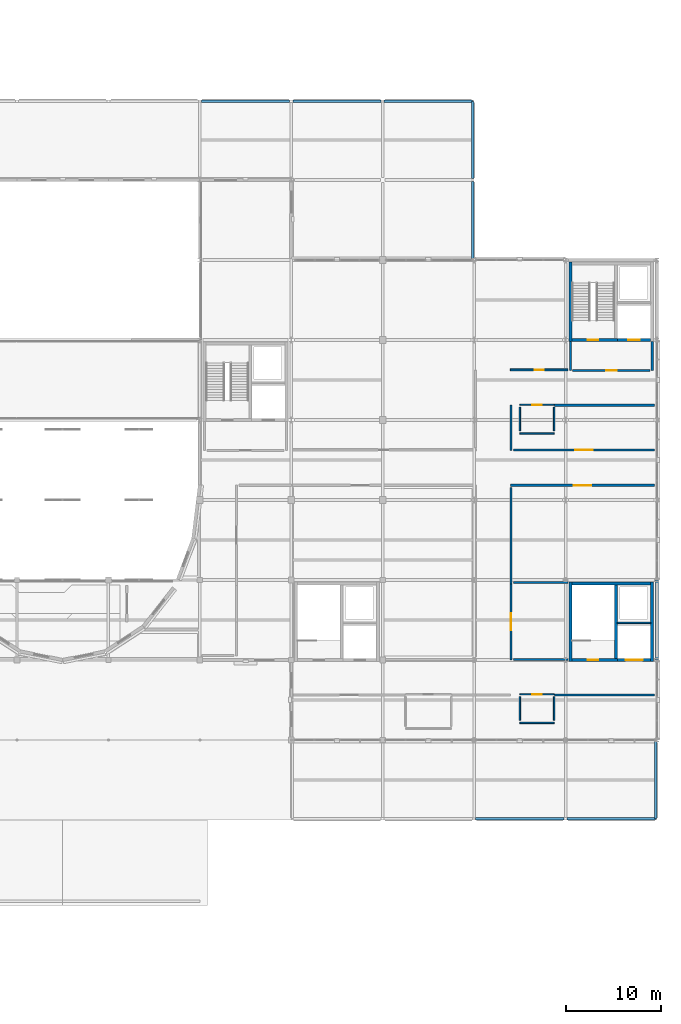
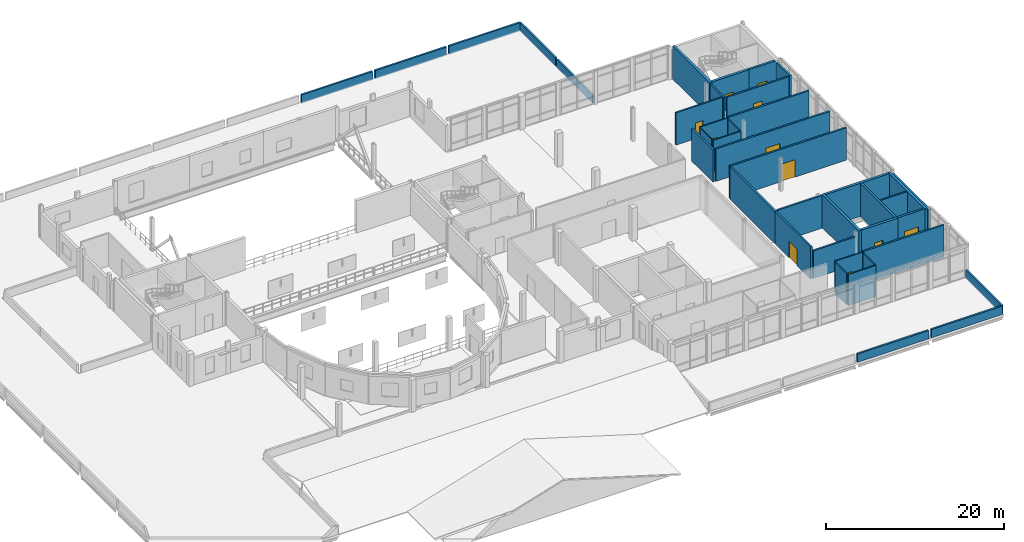
# One storey, part 43 of 52: 40 walls, 11 doors, 11 openings.
"""IFC4 building model written with IfcOpenShell, lengths in metres."""

from ifc_helpers import new_model, si_unit, direction, frame, frame_2d, origin, place, context, subcontext, project, spatial, rectangle, extrude, material, layer, layer_set, type_object, element, fill, save


model = new_model("IFC4")

# Units and contexts
model_context = context("Model", 3, precision=1e-05, world=origin(), true_north=direction((0.0, 1.0)))
body_context = subcontext(model_context, "Body", "Model", "MODEL_VIEW")
ifc_project = project(units=[si_unit("LENGTHUNIT", "METRE"), si_unit("AREAUNIT", "SQUARE_METRE"), si_unit("VOLUMEUNIT", "CUBIC_METRE"), si_unit("PLANEANGLEUNIT", "RADIAN"), si_unit("MASSUNIT", "GRAM", prefix="KILO")], contexts=[model_context])

# Site, building, storey
site_placement = place(None, origin())
site = spatial("IfcSite", under=ifc_project, at=site_placement, CompositionType="ELEMENT")
building_placement = place(site_placement, origin())
building = spatial("IfcBuilding", under=site, at=building_placement, Name="Lornevale Opera House", CompositionType="ELEMENT")
storey_placement = place(building_placement, frame((0.0, 0.0, 15.0)))
storey = spatial("IfcBuildingStorey", under=building, at=storey_placement, Name="L04", CompositionType="ELEMENT", Elevation=15.0)

# Wall
ifc_material_1 = material(Name="Queenston Buff Limestone Ashlar Masonry (25 MPa)", Category="masonry")
ifc_layer_1 = layer(ifc_material_1, 0.324951171875)
ifc_layer_set_1 = layer_set([ifc_layer_1], Name="Queenston Buff Limestone Ashlar Masonry (25 MPa)")
wall_type_1 = type_object("IfcWallType", Name="Backstage Limestone Facade Wall 325", PredefinedType="SOLIDWALL", material=ifc_layer_set_1)
wall_1_placement = place(storey_placement, frame((144.0, 41.97998046875, 0.0), z_axis=(0.0, 0.0, 1.0), x_axis=(0.0, -1.0, 0.0)))
element("IfcWall", 1, at=wall_1_placement, inside=storey, type_object=wall_type_1, Name="Backstage Limestone Facade Wall 325 WL-EXT-0263", PredefinedType="SOLIDWALL", context=body_context, shape_type="SweptSolid", body=[
    extrude(rectangle(XDim=8.35986328125, YDim=0.324951171875, at=frame_2d((4.179931640625, 0.0))), origin(), (0.0, 0.0, 1.0), 4.177978515625),
])

# Wall, opening, door
ifc_material_2 = material(Name="Concrete 40 MPa (CSA A23.1 C-1)", Category="concrete")
ifc_layer_2 = layer(ifc_material_2, 0.320068359375)
ifc_layer_set_2 = layer_set([ifc_layer_2], Name="Concrete 40 MPa (CSA A23.1 C-1)")
wall_type_2 = type_object("IfcWallType", Name="Core Shear Wall 320", PredefinedType="SHEAR", material=ifc_layer_set_2)
wall_2_placement = place(storey_placement, frame((135.06005859375, 67.199951171875, 0.0), z_axis=(0.0, 0.0, 1.0), x_axis=(1.0, 0.0, 0.0)))
wall_2 = element("IfcWall", 2, at=wall_2_placement, inside=storey, type_object=wall_type_2, Name="Backstage Firefighter Core East Core Shear Wall 320 WL-COR-0296", PredefinedType="SHEAR", context=body_context, shape_type="SweptSolid", body=[
    extrude(rectangle(XDim=4.780029296875, YDim=0.320068359375, at=frame_2d((2.39013671875, 0.0))), origin(), (0.0, 0.0, 1.0), 4.56005859375),
])
opening_1_placement = place(wall_2_placement, frame((1.68994140625, 0.0, 0.0)))
opening_1 = element("IfcOpeningElement", 3, at=opening_1_placement, cuts=wall_2, Name="Opening DR-T10", PredefinedType="OPENING", context=body_context, shape_type="SweptSolid", body=[
    extrude(rectangle(XDim=1.10009765625, YDim=2.199951171875, at=frame_2d((0.550048828125, 1.10009765625))), frame((0.0, 0.169921875, 0.0), z_axis=(0.0, -1.0, 0.0), x_axis=(1.0, 0.0, 0.0)), (0.0, 0.0, 1.0), 0.340087890625),
])
ifc_material_3 = material(Name="Painted Hollow Metal Door Steel", Category="steel")
ifc_layer_3 = layer(ifc_material_3, 2.199951171875)
ifc_layer_set_3 = layer_set([ifc_layer_3], Name="Painted Hollow Metal Door Steel")
door_type_1 = type_object("IfcDoorType", Name="Protected Exit Stair Door L 1100x2200", OperationType="NOTDEFINED", PredefinedType="DOOR", material=ifc_layer_set_3)
door_1_placement = place(opening_1_placement, origin())
door_1 = element("IfcDoor", 4, at=door_1_placement, inside=storey, type_object=door_type_1, Name="C7 Stair Door L04", OperationType="SINGLE_SWING_LEFT", OverallHeight=2.199951171875, OverallWidth=1.10009765625, PredefinedType="DOOR", context=body_context, shape_type="SweptSolid", body=[
    extrude(rectangle(XDim=1.10009765625, YDim=2.199951171875, at=frame_2d((0.550048828125, 1.10009765625))), frame((0.0, 0.02490234375, 0.0), z_axis=(0.0, -1.0, 0.0), x_axis=(1.0, 0.0, 0.0)), (0.0, 0.0, 1.0), 0.050048828125),
])
fill(opening_1, door_1)

# Wall
wall_3_placement = place(storey_placement, frame((134.89990234375, 75.39990234375, 0.0), z_axis=(0.0, 0.0, 1.0), x_axis=(0.0, -1.0, 0.0)))
element("IfcWall", 5, at=wall_3_placement, inside=storey, type_object=wall_type_2, Name="Backstage Firefighter Core East Core Shear Wall 320 WL-COR-0299", PredefinedType="SHEAR", context=body_context, shape_type="SweptSolid", body=[
    extrude(rectangle(XDim=8.35986328125, YDim=0.320068359375, at=frame_2d((4.179931640625, 0.0))), origin(), (0.0, 0.0, 1.0), 4.56005859375),
])

# Wall, opening, door
wall_4_placement = place(storey_placement, frame((135.06005859375, 33.60009765625, 0.0), z_axis=(0.0, 0.0, 1.0), x_axis=(1.0, 0.0, 0.0)))
wall_4 = element("IfcWall", 6, at=wall_4_placement, inside=storey, type_object=wall_type_2, Name="Backstage Service Lift Core Core Shear Wall 320 WL-COR-0352", PredefinedType="SHEAR", context=body_context, shape_type="SweptSolid", body=[
    extrude(rectangle(XDim=4.780029296875, YDim=0.320068359375, at=frame_2d((2.39013671875, 0.0))), origin(), (0.0, 0.0, 1.0), 4.56005859375),
])
opening_2_placement = place(wall_4_placement, frame((1.68994140625, 0.0, 0.0)))
opening_2 = element("IfcOpeningElement", 7, at=opening_2_placement, cuts=wall_4, Name="Opening DR-T11", PredefinedType="OPENING", context=body_context, shape_type="SweptSolid", body=[
    extrude(rectangle(XDim=1.10009765625, YDim=2.199951171875, at=frame_2d((0.550048828125, 1.10009765625))), frame((0.0, 0.169921875, 0.0), z_axis=(0.0, -1.0, 0.0), x_axis=(1.0, 0.0, 0.0)), (0.0, 0.0, 1.0), 0.340087890625),
])
ifc_layer_4 = layer(ifc_material_3, 2.199951171875)
ifc_layer_set_4 = layer_set([ifc_layer_4], Name="Painted Hollow Metal Door Steel")
door_type_2 = type_object("IfcDoorType", Name="Protected Exit Stair Door R 1100x2200", OperationType="NOTDEFINED", PredefinedType="DOOR", material=ifc_layer_set_4)
door_2_placement = place(opening_2_placement, origin())
door_2 = element("IfcDoor", 8, at=door_2_placement, inside=storey, type_object=door_type_2, Name="C8 Stair Door L04", OperationType="SINGLE_SWING_RIGHT", OverallHeight=2.199951171875, OverallWidth=1.10009765625, PredefinedType="DOOR", context=body_context, shape_type="SweptSolid", body=[
    extrude(rectangle(XDim=1.10009765625, YDim=2.199951171875, at=frame_2d((0.550048828125, 1.10009765625))), frame((0.0, 0.02490234375, 0.0), z_axis=(0.0, -1.0, 0.0), x_axis=(1.0, 0.0, 0.0)), (0.0, 0.0, 1.0), 0.050048828125),
])
fill(opening_2, door_2)

# Walls
wall_5_placement = place(storey_placement, frame((143.340087890625, 41.639892578125, 0.0), z_axis=(0.0, 0.0, 1.0), x_axis=(-1.0, 0.0, 0.0)))
element("IfcWall", 9, at=wall_5_placement, inside=storey, type_object=wall_type_2, Name="Backstage Service Lift Core Core Shear Wall 320 WL-COR-0354", PredefinedType="SHEAR", context=body_context, shape_type="SweptSolid", body=[
    extrude(rectangle(XDim=8.280029296875, YDim=0.320068359375, at=frame_2d((4.14013671875, 0.0))), origin(), (0.0, 0.0, 1.0), 4.56005859375),
])
for number, where, z_axis, x_axis, name in (
    (10, (134.89990234375, 41.800048828125, 0.0), (0.0, 0.0, 1.0), (0.0, -1.0, 0.0), "Backstage Service Lift Core Core Shear Wall 320 WL-COR-0355"),
    (11, (143.5, 33.43994140625, 0.0), (0.0, 0.0, 1.0), (0.0, 1.0, 0.0), "Backstage Service Lift Core Core Shear Wall 320 WL-COR-0356"),
):
    element("IfcWall", number, at=place(storey_placement, frame(where, z_axis=z_axis, x_axis=x_axis)), inside=storey, type_object=wall_type_2, Name=name, PredefinedType="SHEAR", context=body_context, shape_type="SweptSolid", body=[
        extrude(rectangle(XDim=8.360107421875, YDim=0.320068359375, at=frame_2d((4.18017578125, 0.0))), origin(), (0.0, 0.0, 1.0), 4.56005859375),
    ])

# Wall, opening, door
ifc_layer_5 = layer(ifc_material_2, 0.280029296875)
ifc_layer_set_5 = layer_set([ifc_layer_5], Name="Concrete 40 MPa (CSA A23.1 C-1)")
wall_type_3 = type_object("IfcWallType", Name="Elevator Shaft Wall 280", PredefinedType="SHEAR", material=ifc_layer_set_5)
wall_6_placement = place(storey_placement, frame((139.840087890625, 67.199951171875, 0.0), z_axis=(0.0, 0.0, 1.0), x_axis=(1.0, 0.0, 0.0)))
wall_6 = element("IfcWall", 12, at=wall_6_placement, inside=storey, type_object=wall_type_3, Name="Backstage Firefighter Core East Elevator Shaft Wall 280 WL-COR-0297", PredefinedType="SHEAR", context=body_context, shape_type="SweptSolid", body=[
    extrude(rectangle(XDim=3.5, YDim=0.280029296875, at=frame_2d((1.75, 0.0))), origin(), (0.0, 0.0, 1.0), 4.56005859375),
])
opening_3_placement = place(wall_6_placement, frame((1.159912109375, 0.0, 0.0)))
opening_3 = element("IfcOpeningElement", 13, at=opening_3_placement, cuts=wall_6, Name="Opening DR-T26", PredefinedType="OPENING", context=body_context, shape_type="SweptSolid", body=[
    extrude(rectangle(XDim=1.199951171875, YDim=2.199951171875, at=frame_2d((0.60009765625, 1.10009765625))), frame((0.0, 0.14990234375, 0.0), z_axis=(0.0, -1.0, 0.0), x_axis=(1.0, 0.0, 0.0)), (0.0, 0.0, 1.0), 0.300048828125),
])
ifc_layer_6 = layer(ifc_material_3, 2.199951171875)
ifc_layer_set_6 = layer_set([ifc_layer_6], Name="Painted Hollow Metal Door Steel")
door_type_3 = type_object("IfcDoorType", Name="Firefighter Lift Landing Door 1200x2200", OperationType="NOTDEFINED", PredefinedType="DOOR", material=ifc_layer_set_6)
door_3_placement = place(opening_3_placement, origin())
door_3 = element("IfcDoor", 14, at=door_3_placement, inside=storey, type_object=door_type_3, Name="L-FF2 Landing Door L04", OperationType="SLIDING_TO_RIGHT", OverallHeight=2.199951171875, OverallWidth=1.199951171875, PredefinedType="DOOR", context=body_context, shape_type="SweptSolid", body=[
    extrude(rectangle(XDim=1.199951171875, YDim=2.199951171875, at=frame_2d((0.60009765625, 1.10009765625))), frame((0.0, 0.02490234375, 0.0), z_axis=(0.0, -1.0, 0.0), x_axis=(1.0, 0.0, 0.0)), (0.0, 0.0, 1.0), 0.050048828125),
])
fill(opening_3, door_3)

wall_7_placement = place(storey_placement, frame((139.840087890625, 33.60009765625, 0.0), z_axis=(0.0, 0.0, 1.0), x_axis=(1.0, 0.0, 0.0)))
wall_7 = element("IfcWall", 15, at=wall_7_placement, inside=storey, type_object=wall_type_3, Name="Backstage Service Lift Core Elevator Shaft Wall 280 WL-COR-0353", PredefinedType="SHEAR", context=body_context, shape_type="SweptSolid", body=[
    extrude(rectangle(XDim=3.5, YDim=0.280029296875, at=frame_2d((1.75, 0.0))), origin(), (0.0, 0.0, 1.0), 4.56005859375),
])
opening_4_placement = place(wall_7_placement, frame((0.860107421875, 0.0, 0.0)))
opening_4 = element("IfcOpeningElement", 16, at=opening_4_placement, cuts=wall_7, Name="Opening DR-T27", PredefinedType="OPENING", context=body_context, shape_type="SweptSolid", body=[
    extrude(rectangle(XDim=1.800048828125, YDim=2.39990234375, at=frame_2d((0.89990234375, 1.199951171875))), frame((0.0, 0.14990234375, 0.0), z_axis=(0.0, -1.0, 0.0), x_axis=(1.0, 0.0, 0.0)), (0.0, 0.0, 1.0), 0.300048828125),
])
ifc_layer_7 = layer(ifc_material_3, 2.39990234375)
ifc_layer_set_7 = layer_set([ifc_layer_7], Name="Painted Hollow Metal Door Steel")
door_type_4 = type_object("IfcDoorType", Name="Freight Lift Landing Door 1800x2400", OperationType="NOTDEFINED", PredefinedType="DOOR", material=ifc_layer_set_7)
door_4_placement = place(opening_4_placement, origin())
door_4 = element("IfcDoor", 17, at=door_4_placement, inside=storey, type_object=door_type_4, Name="L-B2 Landing Door L04", OperationType="SLIDING_TO_LEFT", OverallHeight=2.39990234375, OverallWidth=1.800048828125, PredefinedType="DOOR", context=body_context, shape_type="SweptSolid", body=[
    extrude(rectangle(XDim=1.800048828125, YDim=2.39990234375, at=frame_2d((0.89990234375, 1.199951171875))), frame((0.0, 0.02490234375, 0.0), z_axis=(0.0, -1.0, 0.0), x_axis=(1.0, 0.0, 0.0)), (0.0, 0.0, 1.0), 0.050048828125),
])
fill(opening_4, door_4)

# Walls
wall_8_placement = place(storey_placement, frame((139.699951171875, 33.760009765625, 0.0), z_axis=(0.0, 0.0, 1.0), x_axis=(0.0, 1.0, 0.0)))
element("IfcWall", 18, at=wall_8_placement, inside=storey, type_object=wall_type_3, Name="Backstage Service Lift Core Elevator Shaft Wall 280 WL-COR-0357", PredefinedType="SHEAR", context=body_context, shape_type="SweptSolid", body=[
    extrude(rectangle(XDim=7.719970703125, YDim=0.280029296875, at=frame_2d((3.85986328125, 0.0))), origin(), (0.0, 0.0, 1.0), 4.56005859375),
])
ifc_material_4 = material(Name="Concrete 35 MPa (CSA A23.1 N)", Category="concrete")
ifc_layer_8 = layer(ifc_material_4, 0.219970703125)
ifc_layer_set_8 = layer_set([ifc_layer_8], Name="Concrete 35 MPa (CSA A23.1 N)")
wall_type_4 = type_object("IfcWallType", Name="Firefighter Vestibule Wall 220", PredefinedType="SOLIDWALL", material=ifc_layer_set_8)
for number, where, z_axis, x_axis, name in (
    (19, (134.89990234375, 64.0, 0.0), (0.0, 0.0, 1.0), (0.0, 1.0, 0.0), "C7 Vestibule West Wall WL-INT-0409"),
    (20, (143.5, 64.0, 0.0), (0.0, 0.0, 1.0), (0.0, 1.0, 0.0), "C7 Vestibule East Wall WL-INT-0410"),
):
    element("IfcWall", number, at=place(storey_placement, frame(where, z_axis=z_axis, x_axis=x_axis)), inside=storey, type_object=wall_type_4, Name=name, PredefinedType="SOLIDWALL", context=body_context, shape_type="SweptSolid", body=[
        extrude(rectangle(XDim=3.0400390625, YDim=0.219970703125, at=frame_2d((1.52001953125, 0.0))), origin(), (0.0, 0.0, 1.0), 4.320068359375),
    ])

# Wall, opening, door
wall_9_placement = place(storey_placement, frame((135.14990234375, 64.0, 0.0), z_axis=(0.0, 0.0, 1.0), x_axis=(1.0, 0.0, 0.0)))
wall_9 = element("IfcWall", 21, at=wall_9_placement, inside=storey, type_object=wall_type_4, Name="C7 Vestibule South Wall WL-INT-0411", PredefinedType="SOLIDWALL", context=body_context, shape_type="SweptSolid", body=[
    extrude(rectangle(XDim=8.10009765625, YDim=0.219970703125, at=frame_2d((4.050048828125, 0.0))), origin(), (0.0, 0.0, 1.0), 4.320068359375),
])
opening_5_placement = place(wall_9_placement, frame((3.5, 0.0, 0.0)))
opening_5 = element("IfcOpeningElement", 22, at=opening_5_placement, cuts=wall_9, Name="Opening DR-T13", PredefinedType="OPENING", context=body_context, shape_type="SweptSolid", body=[
    extrude(rectangle(XDim=1.10009765625, YDim=2.199951171875, at=frame_2d((0.550048828125, 1.10009765625))), frame((0.0, 0.119873046875, 0.0), z_axis=(0.0, -1.0, 0.0), x_axis=(1.0, 0.0, 0.0)), (0.0, 0.0, 1.0), 0.239990234375),
])
ifc_layer_9 = layer(ifc_material_3, 2.199951171875)
ifc_layer_set_9 = layer_set([ifc_layer_9], Name="Painted Hollow Metal Door Steel")
door_type_5 = type_object("IfcDoorType", Name="Firefighter Vestibule Door 1100x2200", OperationType="NOTDEFINED", PredefinedType="DOOR", material=ifc_layer_set_9)
door_5_placement = place(opening_5_placement, origin())
door_5 = element("IfcDoor", 23, at=door_5_placement, inside=storey, type_object=door_type_5, Name="C7 Firefighter Vestibule Door L04", OperationType="SINGLE_SWING_LEFT", OverallHeight=2.199951171875, OverallWidth=1.10009765625, PredefinedType="DOOR", context=body_context, shape_type="SweptSolid", body=[
    extrude(rectangle(XDim=1.10009765625, YDim=2.199951171875, at=frame_2d((0.550048828125, 1.10009765625))), frame((0.0, 0.02490234375, 0.0), z_axis=(0.0, -1.0, 0.0), x_axis=(1.0, 0.0, 0.0)), (0.0, 0.0, 1.0), 0.050048828125),
])
fill(opening_5, door_5)

ifc_material_5 = material(Name="Acoustic Mineral-Core Gypsum Partition", Category="gypsum")
ifc_layer_10 = layer(ifc_material_5, 0.199951171875)
ifc_layer_set_10 = layer_set([ifc_layer_10], Name="Acoustic Mineral-Core Gypsum Partition")
wall_type_5 = type_object("IfcWallType", Name="Practice Studio Double-Stud Wall 200", PredefinedType="SOLIDWALL", material=ifc_layer_set_10)
wall_10_placement = place(storey_placement, frame((128.60009765625, 64.06005859375, 0.0), z_axis=(0.0, 0.0, 1.0), x_axis=(1.0, 0.0, 0.0)))
wall_10 = element("IfcWall", 24, at=wall_10_placement, inside=storey, type_object=wall_type_5, Name="L04 Partition WL-INT-0874", PredefinedType="SOLIDWALL", context=body_context, shape_type="SweptSolid", body=[
    extrude(rectangle(XDim=6.0498046875, YDim=0.199951171875, at=frame_2d((3.02490234375, 0.0))), origin(), (0.0, 0.0, 1.0), 4.449951171875),
])
opening_6_placement = place(wall_10_placement, frame((2.550048828125, 0.0, 0.0)))
opening_6 = element("IfcOpeningElement", 25, at=opening_6_placement, cuts=wall_10, Name="Opening DR-T19", PredefinedType="OPENING", context=body_context, shape_type="SweptSolid", body=[
    extrude(rectangle(XDim=0.949951171875, YDim=2.14990234375, at=frame_2d((0.47509765625, 1.074951171875))), frame((0.0, 0.10986328125, 0.0), z_axis=(0.0, -1.0, 0.0), x_axis=(1.0, 0.0, 0.0)), (0.0, 0.0, 1.0), 0.219970703125),
])
ifc_material_6 = material(Name="White Oak Acoustic Panelling", Category="wood")
ifc_layer_11 = layer(ifc_material_6, 2.14990234375)
ifc_layer_set_11 = layer_set([ifc_layer_11], Name="White Oak Acoustic Panelling")
door_type_6 = type_object("IfcDoorType", Name="Soloist Dressing Door L 950x2150", OperationType="NOTDEFINED", PredefinedType="DOOR", material=ifc_layer_set_11)
door_6_placement = place(opening_6_placement, origin())
door_6 = element("IfcDoor", 26, at=door_6_placement, inside=storey, type_object=door_type_6, Name="Community Education Conservatory Studio Door", OperationType="SINGLE_SWING_LEFT", OverallHeight=2.14990234375, OverallWidth=0.949951171875, PredefinedType="DOOR", context=body_context, shape_type="SweptSolid", body=[
    extrude(rectangle(XDim=0.949951171875, YDim=2.14990234375, at=frame_2d((0.47509765625, 1.074951171875))), frame((0.0, 0.02490234375, 0.0), z_axis=(0.0, -1.0, 0.0), x_axis=(1.0, 0.0, 0.0)), (0.0, 0.0, 1.0), 0.050048828125),
])
fill(opening_6, door_6)

ifc_layer_12 = layer(ifc_material_5, 0.22998046875)
ifc_layer_set_12 = layer_set([ifc_layer_12], Name="Acoustic Mineral-Core Gypsum Partition")
wall_type_6 = type_object("IfcWallType", Name="Rehearsal Studio Acoustic Wall 230", PredefinedType="SOLIDWALL", material=ifc_layer_set_12)
wall_11_placement = place(storey_placement, frame((128.60009765625, 51.93994140625, 0.0), z_axis=(0.0, 0.0, 1.0), x_axis=(1.0, 0.0, 0.0)))
wall_11 = element("IfcWall", 27, at=wall_11_placement, inside=storey, type_object=wall_type_6, Name="L04 Partition WL-INT-0870", PredefinedType="SOLIDWALL", context=body_context, shape_type="SweptSolid", body=[
    extrude(rectangle(XDim=15.14990234375, YDim=0.22998046875, at=frame_2d((7.574951171875, 0.0))), origin(), (0.0, 0.0, 1.0), 4.449951171875),
])
opening_7_placement = place(wall_11_placement, frame((6.675048828125, 0.0, 0.0)))
opening_7 = element("IfcOpeningElement", 28, at=opening_7_placement, cuts=wall_11, Name="Opening DR-T18", PredefinedType="OPENING", context=body_context, shape_type="SweptSolid", body=[
    extrude(rectangle(XDim=1.800048828125, YDim=2.39990234375, at=frame_2d((0.89990234375, 1.199951171875))), frame((0.0, 0.125, 0.0), z_axis=(0.0, -1.0, 0.0), x_axis=(1.0, 0.0, 0.0)), (0.0, 0.0, 1.0), 0.25),
])
ifc_layer_13 = layer(ifc_material_6, 2.39990234375)
ifc_layer_set_13 = layer_set([ifc_layer_13], Name="White Oak Acoustic Panelling")
door_type_7 = type_object("IfcDoorType", Name="Rehearsal Studio Pair 1800x2400", OperationType="NOTDEFINED", PredefinedType="DOOR", material=ifc_layer_set_13)
door_7_placement = place(opening_7_placement, origin())
door_7 = element("IfcDoor", 29, at=door_7_placement, inside=storey, type_object=door_type_7, Name="Opera Chorus Rehearsal Studio Door", OperationType="DOUBLE_SWING_LEFT", OverallHeight=2.39990234375, OverallWidth=1.800048828125, PredefinedType="DOOR", context=body_context, shape_type="SweptSolid", body=[
    extrude(rectangle(XDim=1.800048828125, YDim=2.39990234375, at=frame_2d((0.89990234375, 1.199951171875))), frame((0.0, 0.02490234375, 0.0), z_axis=(0.0, -1.0, 0.0), x_axis=(1.0, 0.0, 0.0)), (0.0, 0.0, 1.0), 0.050048828125),
])
fill(opening_7, door_7)

# Walls
wall_12_placement = place(storey_placement, frame((128.659912109375, 41.60009765625, 0.0), z_axis=(0.0, 0.0, 1.0), x_axis=(0.0, 1.0, 0.0)))
element("IfcWall", 30, at=wall_12_placement, inside=storey, type_object=wall_type_6, Name="L04 Partition WL-INT-0871", PredefinedType="SOLIDWALL", context=body_context, shape_type="SweptSolid", body=[
    extrude(rectangle(XDim=10.08984375, YDim=0.22998046875, at=frame_2d((5.044921875, 0.0))), origin(), (0.0, 0.0, 1.0), 4.449951171875),
])
for number, where, z_axis, x_axis, name in (
    (31, (133.260009765625, 29.93994140625, 0.0), (0.0, 0.0, 1.0), (1.0, 0.0, 0.0), "L04 Partition WL-INT-0875"),
    (32, (133.260009765625, 60.340087890625, 0.0), (0.0, 0.0, 1.0), (1.0, 0.0, 0.0), "L04 Partition WL-INT-0884"),
):
    element("IfcWall", number, at=place(storey_placement, frame(where, z_axis=z_axis, x_axis=x_axis)), inside=storey, type_object=wall_type_6, Name=name, PredefinedType="SOLIDWALL", context=body_context, shape_type="SweptSolid", body=[
        extrude(rectangle(XDim=10.489990234375, YDim=0.22998046875, at=frame_2d((5.2451171875, 0.0))), origin(), (0.0, 0.0, 1.0), 4.449951171875),
    ])
wall_13_placement = place(storey_placement, frame((128.659912109375, 55.60009765625, 0.0), z_axis=(0.0, 0.0, 1.0), x_axis=(0.0, 1.0, 0.0)))
element("IfcWall", 33, at=wall_13_placement, inside=storey, type_object=wall_type_6, Name="L04 Partition WL-INT-0885", PredefinedType="SOLIDWALL", context=body_context, shape_type="SweptSolid", body=[
    extrude(rectangle(XDim=4.7998046875, YDim=0.22998046875, at=frame_2d((2.39990234375, 0.0))), origin(), (0.0, 0.0, 1.0), 4.449951171875),
])

# Wall, opening, door
wall_14_placement = place(storey_placement, frame((128.909912109375, 55.659912109375, 0.0), z_axis=(0.0, 0.0, 1.0), x_axis=(1.0, 0.0, 0.0)))
wall_14 = element("IfcWall", 34, at=wall_14_placement, inside=storey, type_object=wall_type_6, Name="L04 Partition WL-INT-0886", PredefinedType="SOLIDWALL", context=body_context, shape_type="SweptSolid", body=[
    extrude(rectangle(XDim=14.840087890625, YDim=0.22998046875, at=frame_2d((7.419921875, 0.0))), origin(), (0.0, 0.0, 1.0), 4.449951171875),
])
opening_8_placement = place(wall_14_placement, frame((6.52001953125, 0.0, 0.0)))
opening_8 = element("IfcOpeningElement", 35, at=opening_8_placement, cuts=wall_14, Name="Opening DR-T15", PredefinedType="OPENING", context=body_context, shape_type="SweptSolid", body=[
    extrude(rectangle(XDim=1.800048828125, YDim=2.300048828125, at=frame_2d((0.89990234375, 1.14990234375))), frame((0.0, 0.125, 0.0), z_axis=(0.0, -1.0, 0.0), x_axis=(1.0, 0.0, 0.0)), (0.0, 0.0, 1.0), 0.25),
])
ifc_layer_14 = layer(ifc_material_6, 2.300048828125)
ifc_layer_set_14 = layer_set([ifc_layer_14], Name="White Oak Acoustic Panelling")
door_type_8 = type_object("IfcDoorType", Name="Chamber Hall Acoustic Pair 1800x2300", OperationType="NOTDEFINED", PredefinedType="DOOR", material=ifc_layer_set_14)
door_8_placement = place(opening_8_placement, origin())
door_8 = element("IfcDoor", 36, at=door_8_placement, inside=storey, type_object=door_type_8, Name="Chamber Theory Seminar Studio Door", OperationType="DOUBLE_SWING_LEFT", OverallHeight=2.300048828125, OverallWidth=1.800048828125, PredefinedType="DOOR", context=body_context, shape_type="SweptSolid", body=[
    extrude(rectangle(XDim=1.800048828125, YDim=2.300048828125, at=frame_2d((0.89990234375, 1.14990234375))), frame((0.0, 0.02490234375, 0.0), z_axis=(0.0, -1.0, 0.0), x_axis=(1.0, 0.0, 0.0)), (0.0, 0.0, 1.0), 0.050048828125),
])
fill(opening_8, door_8)

wall_15_placement = place(storey_placement, frame((128.659912109375, 33.60009765625, 0.0), z_axis=(0.0, 0.0, 1.0), x_axis=(0.0, 1.0, 0.0)))
wall_15 = element("IfcWall", 37, at=wall_15_placement, inside=storey, type_object=wall_type_6, Name="L04 Partition WL-INT-0887", PredefinedType="SOLIDWALL", context=body_context, shape_type="SweptSolid", body=[
    extrude(rectangle(XDim=8.0, YDim=0.22998046875, at=frame_2d((4.0, 0.0))), origin(), (0.0, 0.0, 1.0), 4.449951171875),
])
opening_9_placement = place(wall_15_placement, frame((3.10009765625, 0.0, 0.0)))
opening_9 = element("IfcOpeningElement", 38, at=opening_9_placement, cuts=wall_15, Name="Opening DR-T15", PredefinedType="OPENING", context=body_context, shape_type="SweptSolid", body=[
    extrude(rectangle(XDim=1.800048828125, YDim=2.300048828125, at=frame_2d((0.89990234375, 1.14990234375))), frame((0.0, 0.125, 0.0), z_axis=(0.0, -1.0, 0.0), x_axis=(1.0, 0.0, 0.0)), (0.0, 0.0, 1.0), 0.25),
])
door_9_placement = place(opening_9_placement, origin())
door_9 = element("IfcDoor", 39, at=door_9_placement, inside=storey, type_object=door_type_8, Name="Chamber Theory Seminar Studio Door", OperationType="DOUBLE_SWING_LEFT", OverallHeight=2.300048828125, OverallWidth=1.800048828125, PredefinedType="DOOR", context=body_context, shape_type="SweptSolid", body=[
    extrude(rectangle(XDim=1.800048828125, YDim=2.300048828125, at=frame_2d((0.89990234375, 1.14990234375))), frame((0.0, 0.02490234375, 0.0), z_axis=(0.0, -1.0, 0.0), x_axis=(1.0, 0.0, 0.0)), (0.0, 0.0, 1.0), 0.050048828125),
])
fill(opening_9, door_9)

# Walls
wall_16_placement = place(storey_placement, frame((128.909912109375, 33.659912109375, 0.0), z_axis=(0.0, 0.0, 1.0), x_axis=(1.0, 0.0, 0.0)))
element("IfcWall", 40, at=wall_16_placement, inside=storey, type_object=wall_type_6, Name="L04 Partition WL-INT-0888", PredefinedType="SOLIDWALL", context=body_context, shape_type="SweptSolid", body=[
    extrude(rectangle(XDim=5.739990234375, YDim=0.22998046875, at=frame_2d((2.8701171875, 0.0))), origin(), (0.0, 0.0, 1.0), 3.806884765625),
])
wall_17_placement = place(storey_placement, frame((128.909912109375, 41.739990234375, 0.0), z_axis=(0.0, 0.0, 1.0), x_axis=(1.0, 0.0, 0.0)))
element("IfcWall", 41, at=wall_17_placement, inside=storey, type_object=wall_type_6, Name="L04 Partition WL-INT-0892", PredefinedType="SOLIDWALL", context=body_context, shape_type="SweptSolid", body=[
    extrude(rectangle(XDim=5.739990234375, YDim=0.22998046875, at=frame_2d((2.8701171875, 0.0))), origin(), (0.0, 0.0, 1.0), 4.47998046875),
])
ifc_material_7 = material(Name="Moisture-Resistant Ceramic & Gypsum Partition", Category="gypsum")
ifc_layer_15 = layer(ifc_material_7, 0.179931640625)
ifc_layer_set_15 = layer_set([ifc_layer_15], Name="Moisture-Resistant Ceramic & Gypsum Partition")
wall_type_7 = type_object("IfcWallType", Name="Riser Shaft Wall 180", PredefinedType="SOLIDWALL", material=ifc_layer_set_15)
wall_18_placement = place(storey_placement, frame((139.840087890625, 37.5, 0.0), z_axis=(0.0, 0.0, 1.0), x_axis=(1.0, 0.0, 0.0)))
element("IfcWall", 42, at=wall_18_placement, inside=storey, type_object=wall_type_7, Name="Backstage Service Lift Core Riser Shaft Wall 180 WL-COR-0358", PredefinedType="SOLIDWALL", context=body_context, shape_type="SweptSolid", body=[
    extrude(rectangle(XDim=3.5, YDim=0.179931640625, at=frame_2d((1.75, 0.0))), origin(), (0.0, 0.0, 1.0), 4.56005859375),
])
ifc_layer_16 = layer(ifc_material_1, 0.239990234375)
ifc_layer_set_16 = layer_set([ifc_layer_16], Name="Queenston Buff Limestone Ashlar Masonry (25 MPa)")
wall_type_8 = type_object("IfcWallType", Name="Stone Coped Parapet Wall 240", PredefinedType="PARAPET", material=ifc_layer_set_16)
for number, where, z_axis, x_axis, name in (
    (43, (96.159912109375, 92.27001953125, 0.0), (0.0, 0.0, 1.0), (1.0, 0.0, 0.0), "Stone Coped Parapet Wall 240 0445"),
    (44, (105.760009765625, 92.27001953125, 0.0), (0.0, 0.0, 1.0), (1.0, 0.0, 0.0), "Stone Coped Parapet Wall 240 0446"),
):
    element("IfcWall", number, at=place(storey_placement, frame(where, z_axis=z_axis, x_axis=x_axis)), inside=storey, type_object=wall_type_8, Name=name, PredefinedType="PARAPET", context=body_context, shape_type="SweptSolid", body=[
        extrude(rectangle(XDim=9.280029296875, YDim=0.239990234375, at=frame_2d((4.64013671875, 0.0))), origin(), (0.0, 0.0, 1.0), 1.14990234375),
    ])
wall_19_placement = place(storey_placement, frame((115.360107421875, 92.27001953125, 0.0), z_axis=(0.0, 0.0, 1.0), x_axis=(1.0, 0.0, 0.0)))
element("IfcWall", 45, at=wall_19_placement, inside=storey, type_object=wall_type_8, Name="Stone Coped Parapet Wall 240 0447", PredefinedType="PARAPET", context=body_context, shape_type="SweptSolid", body=[
    extrude(rectangle(XDim=9.27978515625, YDim=0.239990234375, at=frame_2d((4.639892578125, 0.0))), origin(), (0.0, 0.0, 1.0), 1.14990234375),
])
for number, where, z_axis, x_axis, name in (
    (46, (124.669921875, 92.239990234375, 0.0), (0.0, 0.0, 1.0), (0.0, -1.0, 0.0), "Stone Coped Parapet Wall 240 0448"),
    (47, (124.669921875, 83.840087890625, 0.0), (0.0, 0.0, 1.0), (0.0, -1.0, 0.0), "Stone Coped Parapet Wall 240 0449"),
    (48, (143.8701171875, 25.0400390625, 0.0), (0.0, 0.0, 1.0), (0.0, -1.0, 0.0), "Stone Coped Parapet Wall 240 0464"),
):
    element("IfcWall", number, at=place(storey_placement, frame(where, z_axis=z_axis, x_axis=x_axis)), inside=storey, type_object=wall_type_8, Name=name, PredefinedType="PARAPET", context=body_context, shape_type="SweptSolid", body=[
        extrude(rectangle(XDim=8.080078125, YDim=0.239990234375, at=frame_2d((4.0400390625, 0.0))), origin(), (0.0, 0.0, 1.0), 1.14990234375),
    ])
for number, where, z_axis, x_axis, name in (
    (49, (143.840087890625, 16.929931640625, 0.0), (0.0, 0.0, 1.0), (-1.0, 0.0, 0.0), "Stone Coped Parapet Wall 240 0465"),
    (50, (134.239990234375, 16.929931640625, 0.0), (0.0, 0.0, 1.0), (-1.0, 0.0, 0.0), "Stone Coped Parapet Wall 240 0466"),
):
    element("IfcWall", number, at=place(storey_placement, frame(where, z_axis=z_axis, x_axis=x_axis)), inside=storey, type_object=wall_type_8, Name=name, PredefinedType="PARAPET", context=body_context, shape_type="SweptSolid", body=[
        extrude(rectangle(XDim=9.280029296875, YDim=0.239990234375, at=frame_2d((4.64013671875, 0.0))), origin(), (0.0, 0.0, 1.0), 1.14990234375),
    ])
ifc_layer_17 = layer(ifc_material_7, 0.139892578125)
ifc_layer_set_17 = layer_set([ifc_layer_17], Name="Moisture-Resistant Ceramic & Gypsum Partition")
wall_type_9 = type_object("IfcWallType", Name="Washroom Moisture Partition 140", PredefinedType="PARTITIONING", material=ifc_layer_set_17)
wall_20_placement = place(storey_placement, frame((129.60009765625, 27.0, 0.0), z_axis=(0.0, 0.0, 1.0), x_axis=(1.0, 0.0, 0.0)))
element("IfcWall", 51, at=wall_20_placement, inside=storey, type_object=wall_type_9, Name="Upper Circle Accessible WC S Wall WL-INT-0504", PredefinedType="PARTITIONING", context=body_context, shape_type="SweptSolid", body=[
    extrude(rectangle(XDim=3.599853515625, YDim=0.139892578125, at=frame_2d((1.7998046875, 0.0))), origin(), (0.0, 0.0, 1.0), 4.320068359375),
])

# Wall, opening, door
wall_21_placement = place(storey_placement, frame((129.60009765625, 30.0, 0.0), z_axis=(0.0, 0.0, 1.0), x_axis=(1.0, 0.0, 0.0)))
wall_21 = element("IfcWall", 52, at=wall_21_placement, inside=storey, type_object=wall_type_9, Name="Upper Circle Accessible WC N Wall WL-INT-0505", PredefinedType="PARTITIONING", context=body_context, shape_type="SweptSolid", body=[
    extrude(rectangle(XDim=3.599853515625, YDim=0.139892578125, at=frame_2d((1.7998046875, 0.0))), origin(), (0.0, 0.0, 1.0), 4.320068359375),
])
opening_10_placement = place(wall_21_placement, frame((1.300048828125, 0.0, 0.0)))
opening_10 = element("IfcOpeningElement", 53, at=opening_10_placement, cuts=wall_21, Name="Opening DR-T23", PredefinedType="OPENING", context=body_context, shape_type="SweptSolid", body=[
    extrude(rectangle(XDim=1.0, YDim=2.14990234375, at=frame_2d((0.5, 1.074951171875))), frame((0.0, 0.079833984375, 0.0), z_axis=(0.0, -1.0, 0.0), x_axis=(1.0, 0.0, 0.0)), (0.0, 0.0, 1.0), 0.159912109375),
])
ifc_layer_18 = layer(ifc_material_6, 2.14990234375)
ifc_layer_set_18 = layer_set([ifc_layer_18], Name="White Oak Acoustic Panelling")
door_type_9 = type_object("IfcDoorType", Name="Accessible WC Door L 1000x2150", OperationType="NOTDEFINED", PredefinedType="DOOR", material=ifc_layer_set_18)
door_10_placement = place(opening_10_placement, origin())
door_10 = element("IfcDoor", 54, at=door_10_placement, inside=storey, type_object=door_type_9, Name="Upper Circle Accessible WC Door", OperationType="SINGLE_SWING_LEFT", OverallHeight=2.14990234375, OverallWidth=1.0, PredefinedType="DOOR", context=body_context, shape_type="SweptSolid", body=[
    extrude(rectangle(XDim=1.0, YDim=2.14990234375, at=frame_2d((0.5, 1.074951171875))), frame((0.0, 0.02490234375, 0.0), z_axis=(0.0, -1.0, 0.0), x_axis=(1.0, 0.0, 0.0)), (0.0, 0.0, 1.0), 0.050048828125),
])
fill(opening_10, door_10)

# Walls
for number, where, z_axis, x_axis, name in (
    (55, (129.60009765625, 27.25, 0.0), (0.0, 0.0, 1.0), (0.0, 1.0, 0.0), "Upper Circle Accessible WC W Wall WL-INT-0506"),
    (56, (133.199951171875, 27.25, 0.0), (0.0, 0.0, 1.0), (0.0, 1.0, 0.0), "Upper Circle Accessible WC E Wall WL-INT-0507"),
):
    element("IfcWall", number, at=place(storey_placement, frame(where, z_axis=z_axis, x_axis=x_axis)), inside=storey, type_object=wall_type_9, Name=name, PredefinedType="PARTITIONING", context=body_context, shape_type="SweptSolid", body=[
        extrude(rectangle(XDim=2.5, YDim=0.139892578125, at=frame_2d((1.25, 0.0))), origin(), (0.0, 0.0, 1.0), 4.320068359375),
    ])
wall_22_placement = place(storey_placement, frame((129.60009765625, 57.39990234375, 0.0), z_axis=(0.0, 0.0, 1.0), x_axis=(1.0, 0.0, 0.0)))
element("IfcWall", 57, at=wall_22_placement, inside=storey, type_object=wall_type_9, Name="Conservatory Accessible WC S Wall WL-INT-0508", PredefinedType="PARTITIONING", context=body_context, shape_type="SweptSolid", body=[
    extrude(rectangle(XDim=3.599853515625, YDim=0.139892578125, at=frame_2d((1.7998046875, 0.0))), origin(), (0.0, 0.0, 1.0), 4.320068359375),
])

# Wall, opening, door
wall_23_placement = place(storey_placement, frame((129.60009765625, 60.39990234375, 0.0), z_axis=(0.0, 0.0, 1.0), x_axis=(1.0, 0.0, 0.0)))
wall_23 = element("IfcWall", 58, at=wall_23_placement, inside=storey, type_object=wall_type_9, Name="Conservatory Accessible WC N Wall WL-INT-0509", PredefinedType="PARTITIONING", context=body_context, shape_type="SweptSolid", body=[
    extrude(rectangle(XDim=3.599853515625, YDim=0.139892578125, at=frame_2d((1.7998046875, 0.0))), origin(), (0.0, 0.0, 1.0), 4.320068359375),
])
opening_11_placement = place(wall_23_placement, frame((1.300048828125, 0.0, 0.0)))
opening_11 = element("IfcOpeningElement", 59, at=opening_11_placement, cuts=wall_23, Name="Opening DR-T23", PredefinedType="OPENING", context=body_context, shape_type="SweptSolid", body=[
    extrude(rectangle(XDim=1.0, YDim=2.14990234375, at=frame_2d((0.5, 1.074951171875))), frame((0.0, 0.079833984375, 0.0), z_axis=(0.0, -1.0, 0.0), x_axis=(1.0, 0.0, 0.0)), (0.0, 0.0, 1.0), 0.159912109375),
])
door_11_placement = place(opening_11_placement, origin())
door_11 = element("IfcDoor", 60, at=door_11_placement, inside=storey, type_object=door_type_9, Name="Conservatory Accessible WC Door", OperationType="SINGLE_SWING_LEFT", OverallHeight=2.14990234375, OverallWidth=1.0, PredefinedType="DOOR", context=body_context, shape_type="SweptSolid", body=[
    extrude(rectangle(XDim=1.0, YDim=2.14990234375, at=frame_2d((0.5, 1.074951171875))), frame((0.0, 0.02490234375, 0.0), z_axis=(0.0, -1.0, 0.0), x_axis=(1.0, 0.0, 0.0)), (0.0, 0.0, 1.0), 0.050048828125),
])
fill(opening_11, door_11)

# Walls
for number, where, z_axis, x_axis, name in (
    (61, (129.60009765625, 57.64990234375, 0.0), (0.0, 0.0, 1.0), (0.0, 1.0, 0.0), "Conservatory Accessible WC W Wall WL-INT-0510"),
    (62, (133.199951171875, 57.64990234375, 0.0), (0.0, 0.0, 1.0), (0.0, 1.0, 0.0), "Conservatory Accessible WC E Wall WL-INT-0511"),
):
    element("IfcWall", number, at=place(storey_placement, frame(where, z_axis=z_axis, x_axis=x_axis)), inside=storey, type_object=wall_type_9, Name=name, PredefinedType="PARTITIONING", context=body_context, shape_type="SweptSolid", body=[
        extrude(rectangle(XDim=2.5, YDim=0.139892578125, at=frame_2d((1.25, 0.0))), origin(), (0.0, 0.0, 1.0), 4.320068359375),
    ])

save(model, "model.ifc")
